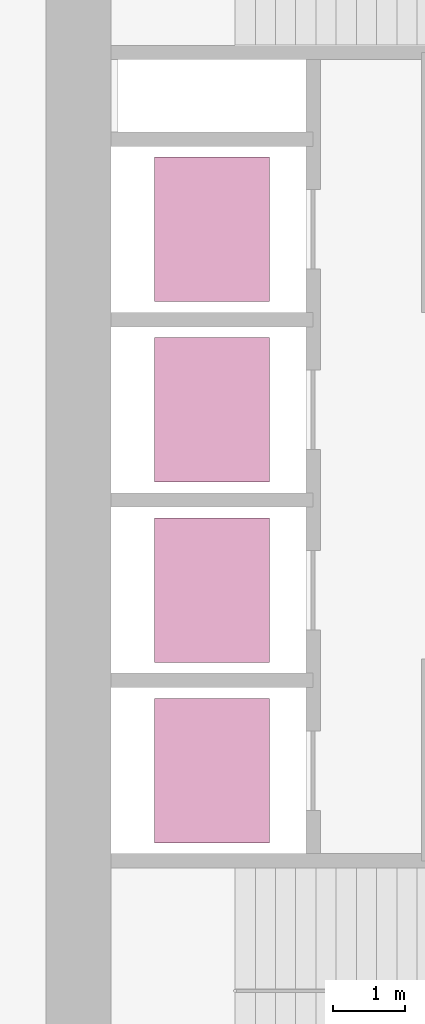
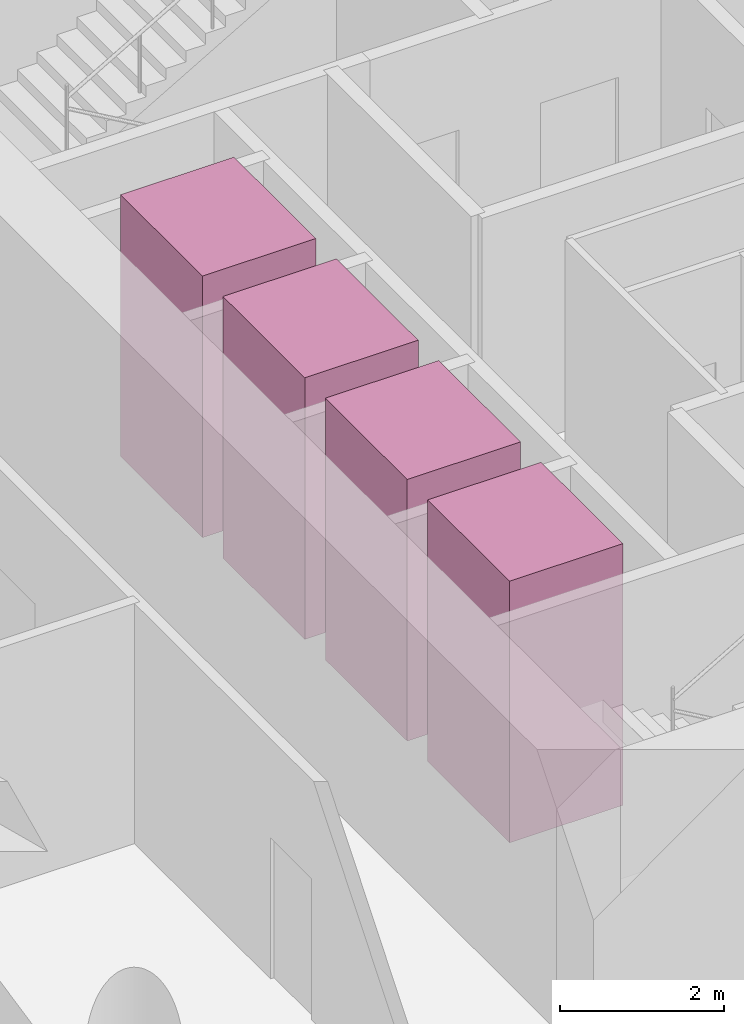
# One storey, part 10 of 10: 4 transport elements.
"""IFC4 building model written with IfcOpenShell, lengths in metres."""

from ifc_helpers import new_model, si_unit, direction, frame, origin, origin_2d, place, context, subcontext, project, spatial, rectangle, extrude, material, type_object, element, save


model = new_model("IFC4")

# Units and contexts
model_context = context("Model", 3, precision=1e-05, world=origin(), true_north=direction((0.0, 1.0)))
body_context = subcontext(model_context, "Body", "Model", "MODEL_VIEW")
ifc_project = project(units=[si_unit("LENGTHUNIT", "METRE"), si_unit("AREAUNIT", "SQUARE_METRE"), si_unit("VOLUMEUNIT", "CUBIC_METRE"), si_unit("PLANEANGLEUNIT", "RADIAN"), si_unit("MASSUNIT", "GRAM", prefix="KILO")], contexts=[model_context])

# Site, building, storey
site_placement = place(None, origin())
site = spatial("IfcSite", under=ifc_project, at=site_placement, CompositionType="ELEMENT")
building_placement = place(site_placement, origin())
building = spatial("IfcBuilding", under=site, at=building_placement, Name="Qaws Garden Tower", CompositionType="ELEMENT")
storey_placement = place(building_placement, frame((0.0, 0.0, 54.89990234375)))
storey = spatial("IfcBuildingStorey", under=building, at=storey_placement, Name="L13", CompositionType="ELEMENT", Elevation=54.89990234375)

# Transport elements
ifc_material = material(Name="Stainless steel 316", Category="steel")
transport_element_type = type_object("IfcTransportElementType", Name="Passenger lift car 2000x1600 1800 kg", PredefinedType="ELEVATOR", material=ifc_material)
for number, where, z_axis, x_axis, name in (
    (1, (10.300048828125, 13.64990234375, 0.000244140625), (0.0, 0.0, 1.0), (1.0, 0.0, 0.0), "LR1"),
    (2, (10.300048828125, 16.14990234375, 0.000244140625), (0.0, 0.0, 1.0), (1.0, 0.0, 0.0), "LR2"),
    (3, (10.300048828125, 18.64990234375, 0.000244140625), (0.0, 0.0, 1.0), (1.0, 0.0, 0.0), "LR3"),
    (4, (10.300048828125, 21.14990234375, 0.000244140625), (0.0, 0.0, 1.0), (1.0, 0.0, 0.0), "LR4"),
):
    element("IfcTransportElement", number, at=place(storey_placement, frame(where, z_axis=z_axis, x_axis=x_axis)), inside=storey, type_object=transport_element_type, Name=name, PredefinedType="ELEVATOR", context=body_context, shape_type="SweptSolid", body=[
        extrude(rectangle(XDim=1.60009765625, YDim=2.0, at=origin_2d()), origin(), (0.0, 0.0, 1.0), 3.89990234375),
    ])

save(model, "model.ifc")
